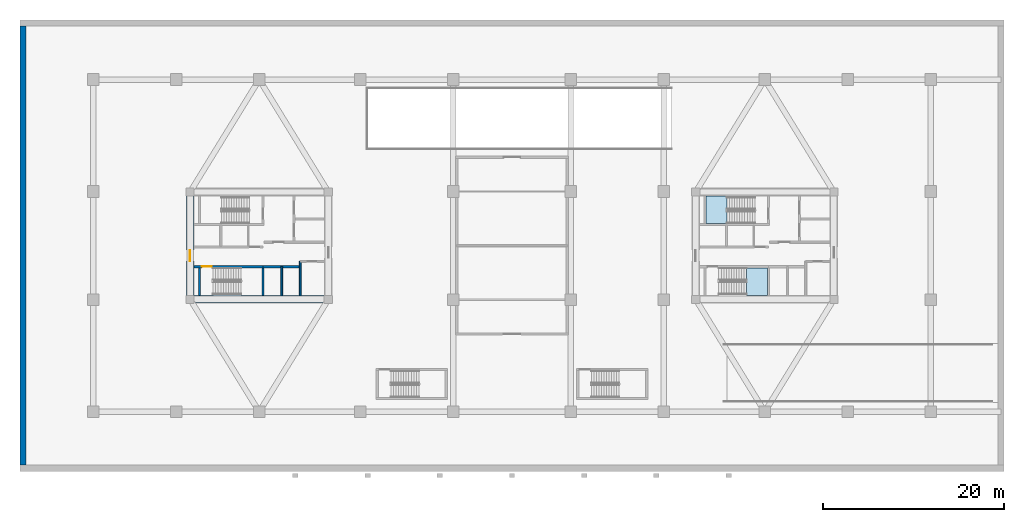
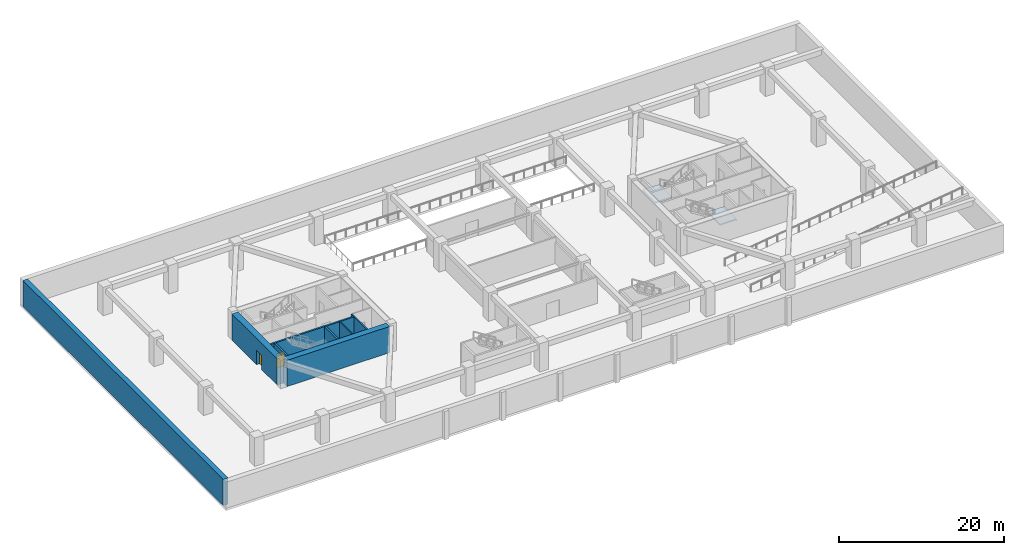
# One storey, part 2 of 14: 9 walls, 2 doors, 2 slabs, 2 openings, 2 elements without a shape of their own.
"""IFC4 building model written with IfcOpenShell, lengths in metres."""

from ifc_helpers import new_model, si_unit, direction, frame, frame_2d, origin, place, context, subcontext, project, spatial, polyline, rectangle, outline, extrude, source, transform, mapped, material, layer, layer_set, type_object, type_shapes, element, fill, aggregate, save


model = new_model("IFC4")

# Units and contexts
model_context = context("Model", 3, precision=1e-05, world=origin(), true_north=direction((0.0, 1.0)))
body_context = subcontext(model_context, "Body", "Model", "MODEL_VIEW")
ifc_project = project(units=[si_unit("LENGTHUNIT", "METRE"), si_unit("AREAUNIT", "SQUARE_METRE"), si_unit("VOLUMEUNIT", "CUBIC_METRE"), si_unit("PLANEANGLEUNIT", "RADIAN"), si_unit("MASSUNIT", "GRAM", prefix="KILO")], contexts=[model_context])

# Site, building, storey
site_placement = place(None, origin())
site = spatial("IfcSite", under=ifc_project, at=site_placement, CompositionType="ELEMENT")
building_placement = place(site_placement, origin())
building = spatial("IfcBuilding", under=site, at=building_placement, Name="Norrkilde Senior Care Towers", CompositionType="ELEMENT")
storey_placement = place(building_placement, frame((0.0, 0.0, -4.199951171875)))
storey = spatial("IfcBuildingStorey", under=building, at=storey_placement, Name="B1", CompositionType="ELEMENT", Elevation=-4.199951171875)

# Stair, slab
ifc_material_1 = material(Name="Concrete C45/55", Category="concrete")
stair_type = type_object("IfcStairType", Name="Core Protected Dogleg Stair Podium 4200", PredefinedType="HALF_TURN_STAIR", material=ifc_material_1)
stair_1_placement = place(storey_placement, origin())
stair_1 = element("IfcStair", 1, at=stair_1_placement, inside=storey, type_object=stair_type, Name="B1 Protected Core Stair E1", PredefinedType="HALF_TURN_STAIR")
ifc_layer_1 = layer(ifc_material_1, 0.199951171875)
ifc_layer_set_1 = layer_set([ifc_layer_1], Name="Concrete C45/55")
slab_type = type_object("IfcSlabType", Name="Stair Landing Slab 200", PredefinedType="LANDING", material=ifc_layer_set_1)
slab_1_placement = place(storey_placement, frame((0.0, 0.0, 1.89990234375)))
slab_1 = element("IfcSlab", 2, at=slab_1_placement, type_object=slab_type, Name="ST-E1 landing 1", PredefinedType="LANDING", context=body_context, shape_type="SweptSolid", body=[
    extrude(outline(polyline([(23.820068359375, 5.52490234375), (21.5, 5.52490234375), (21.5, 2.449951171875), (23.820068359375, 2.449951171875), (23.820068359375, 5.52490234375)])), origin(), (0.0, 0.0, 1.0), 0.199951171875),
])
aggregate(stair_1, [slab_1])

stair_2_placement = place(storey_placement, origin())
stair_2 = element("IfcStair", 3, at=stair_2_placement, inside=storey, type_object=stair_type, Name="B1 Protected Core Stair E2", PredefinedType="HALF_TURN_STAIR")
slab_2_placement = place(storey_placement, frame((0.0, 0.0, 1.89990234375)))
slab_2 = element("IfcSlab", 4, at=slab_2_placement, type_object=slab_type, Name="ST-E2 landing 1", PredefinedType="LANDING", context=body_context, shape_type="SweptSolid", body=[
    extrude(outline(polyline([(25.97998046875, -5.52490234375), (28.300048828125, -5.52490234375), (28.300048828125, -2.449951171875), (25.97998046875, -2.449951171875), (25.97998046875, -5.52490234375)])), origin(), (0.0, 0.0, 1.0), 0.199951171875),
])
aggregate(stair_2, [slab_2])

# Wall
ifc_material_2 = material(Name="Concrete C60/75", Category="concrete")
ifc_layer_2 = layer(ifc_material_2, 0.85009765625)
ifc_layer_set_2 = layer_set([ifc_layer_2], Name="Concrete C60/75")
wall_type_1 = type_object("IfcWallType", Name="Core Shear Wall Z1 850", PredefinedType="SHEAR", material=ifc_layer_set_2)
shared_shape_1 = source(origin(), body_context, "Body", "SweptSolid", [
    extrude(rectangle(XDim=14.39990234375, YDim=0.85009765625, at=frame_2d((7.199951171875, 0.0))), origin(), (0.0, 0.0, 1.0), 3.8798828125),
])
wall_1_placement = place(storey_placement, frame((-20.800048828125, -5.949951171875, 0.0), z_axis=(0.0, 0.0, 1.0), x_axis=(-1.0, 0.0, 0.0)))
element("IfcWall", 5, at=wall_1_placement, inside=storey, type_object=wall_type_1, Name="B1 Core W South Shear Wall", PredefinedType="SHEAR", context=body_context, shape_type="MappedRepresentation", body=[
    mapped(shared_shape_1, transform((0.0, 0.0, 0.0), x_axis=(1.0, 0.0, 0.0), y_axis=(0.0, 1.0, 0.0), z_axis=(0.0, 0.0, 1.0), scale=1.0)),
])

# Wall, opening, door
shared_shape_2 = source(origin(), body_context, "Body", "SweptSolid", [
    extrude(rectangle(XDim=11.0, YDim=0.85009765625, at=frame_2d((5.5, 0.0))), origin(), (0.0, 0.0, 1.0), 3.8798828125),
])
type_shapes(wall_type_1, [shared_shape_1, shared_shape_2])
wall_2_placement = place(storey_placement, frame((-35.64990234375, -5.5, 0.0), z_axis=(0.0, 0.0, 1.0), x_axis=(0.0, 1.0, 0.0)))
wall_2 = element("IfcWall", 6, at=wall_2_placement, inside=storey, type_object=wall_type_1, Name="B1 Core W West Shear Wall", PredefinedType="SHEAR", context=body_context, shape_type="MappedRepresentation", body=[
    mapped(shared_shape_2, transform((0.0, 0.0, 0.0), x_axis=(1.0, 0.0, 0.0), y_axis=(0.0, 1.0, 0.0), z_axis=(0.0, 0.0, 1.0), scale=1.0)),
])
opening_1_placement = place(wall_2_placement, frame((3.800048828125, 0.0, 0.0)))
opening_1 = element("IfcOpeningElement", 7, at=opening_1_placement, cuts=wall_2, Name="Opening D-04", PredefinedType="OPENING", context=body_context, shape_type="SweptSolid", body=[
    extrude(rectangle(XDim=1.199951171875, YDim=2.14990234375, at=frame_2d((0.60009765625, 1.074951171875))), frame((0.0, 0.43505859375, 0.0), z_axis=(0.0, -1.0, 0.0), x_axis=(1.0, 0.0, 0.0)), (0.0, 0.0, 1.0), 0.8701171875),
])
ifc_material_3 = material(Name="Galvanised Painted Steel", Category="steel")
door_type_1 = type_object("IfcDoorType", Name="Firefighting Lobby Fire Door 1200x2150", OperationType="NOTDEFINED", PredefinedType="DOOR", material=ifc_material_3)
shared_shape_3 = source(origin(), body_context, "Body", "SweptSolid", [
    extrude(rectangle(XDim=1.199951171875, YDim=2.14990234375, at=frame_2d((0.60009765625, 1.074951171875))), frame((0.0, 0.02490234375, 0.0), z_axis=(0.0, -1.0, 0.0), x_axis=(1.0, 0.0, 0.0)), (0.0, 0.0, 1.0), 0.050048828125),
])
type_shapes(door_type_1, [shared_shape_3])
door_1_placement = place(opening_1_placement, frame((1.199951171875, 0.0, 0.0), z_axis=(0.0, 0.0, 1.0), x_axis=(-1.0, 0.0, 0.0)))
door_1 = element("IfcDoor", 8, at=door_1_placement, inside=storey, type_object=door_type_1, Name="B1 Core W West Portal Door", OperationType="SINGLE_SWING_LEFT", OverallHeight=2.14990234375, OverallWidth=1.199951171875, PredefinedType="DOOR", context=body_context, shape_type="MappedRepresentation", body=[
    mapped(shared_shape_3, transform((0.0, 0.0, 0.0), x_axis=(1.0, 0.0, 0.0), y_axis=(0.0, 1.0, 0.0), z_axis=(0.0, 0.0, 1.0), scale=1.0)),
])
fill(opening_1, door_1)

# Wall
ifc_material_4 = material(Name="Concrete C50/60", Category="concrete")
ifc_layer_3 = layer(ifc_material_4, 0.679931640625)
ifc_layer_set_3 = layer_set([ifc_layer_3], Name="Concrete C50/60")
wall_type_2 = type_object("IfcWallType", Name="Basement Retaining Wall 680", PredefinedType="SOLIDWALL", material=ifc_layer_set_3)
shared_shape_4 = source(origin(), body_context, "Body", "SweptSolid", [
    extrude(rectangle(XDim=48.64013671875, YDim=0.679931640625, at=frame_2d((24.320068359375, 0.0))), origin(), (0.0, 0.0, 1.0), 3.8798828125),
])
type_shapes(wall_type_2, [shared_shape_4])
wall_3_placement = place(storey_placement, frame((-54.159912109375, 24.320068359375, 0.0), z_axis=(0.0, 0.0, 1.0), x_axis=(0.0, -1.0, 0.0)))
element("IfcWall", 9, at=wall_3_placement, inside=storey, type_object=wall_type_2, Name="B1 W Perimeter Retaining Wall", PredefinedType="SOLIDWALL", context=body_context, shape_type="MappedRepresentation", body=[
    mapped(shared_shape_4, transform((0.0, 0.0, 0.0), x_axis=(1.0, 0.0, 0.0), y_axis=(0.0, 1.0, 0.0), z_axis=(0.0, 0.0, 1.0), scale=1.0)),
])

# Wall, opening, door
ifc_layer_4 = layer(ifc_material_1, 0.239990234375)
ifc_layer_set_4 = layer_set([ifc_layer_4], Name="Concrete C45/55")
wall_type_3 = type_object("IfcWallType", Name="Shaft and Stair Enclosure Wall 240", PredefinedType="PARTITIONING", material=ifc_layer_set_4)
shared_shape_5 = source(origin(), body_context, "Body", "SweptSolid", [
    extrude(rectangle(XDim=7.76513671875, YDim=0.239990234375, at=frame_2d((3.882568359375, 0.0))), origin(), (0.0, 0.0, 1.0), 3.8798828125),
])
wall_4_placement = place(storey_placement, frame((-35.22509765625, -2.330078125, 0.0), z_axis=(0.0, 0.0, 1.0), x_axis=(1.0, 0.0, 0.0)))
wall_4 = element("IfcWall", 10, at=wall_4_placement, inside=storey, type_object=wall_type_3, Name="WL-INT-B1-W-ST2N", PredefinedType="PARTITIONING", context=body_context, shape_type="MappedRepresentation", body=[
    mapped(shared_shape_5, transform((0.0, 0.0, 0.0), x_axis=(1.0, 0.0, 0.0), y_axis=(0.0, 1.0, 0.0), z_axis=(0.0, 0.0, 1.0), scale=1.0)),
])
opening_2_placement = place(wall_4_placement, frame((0.885009765625, 0.0, 0.0)))
opening_2 = element("IfcOpeningElement", 11, at=opening_2_placement, cuts=wall_4, Name="Opening D-03", PredefinedType="OPENING", context=body_context, shape_type="SweptSolid", body=[
    extrude(rectangle(XDim=1.10009765625, YDim=2.14990234375, at=frame_2d((0.550048828125, 1.074951171875))), frame((0.0, 0.1298828125, 0.0), z_axis=(0.0, -1.0, 0.0), x_axis=(1.0, 0.0, 0.0)), (0.0, 0.0, 1.0), 0.260009765625),
])
door_type_2 = type_object("IfcDoorType", Name="Stairwell Protected Fire Door 1100x2150", OperationType="NOTDEFINED", PredefinedType="DOOR", material=ifc_material_3)
shared_shape_6 = source(origin(), body_context, "Body", "SweptSolid", [
    extrude(rectangle(XDim=1.10009765625, YDim=2.14990234375, at=frame_2d((0.550048828125, 1.074951171875))), frame((0.0, 0.02490234375, 0.0), z_axis=(0.0, -1.0, 0.0), x_axis=(1.0, 0.0, 0.0)), (0.0, 0.0, 1.0), 0.050048828125),
])
type_shapes(door_type_2, [shared_shape_6])
door_2_placement = place(opening_2_placement, frame((1.10009765625, 0.0, 0.0), z_axis=(0.0, 0.0, 1.0), x_axis=(-1.0, 0.0, 0.0)))
door_2 = element("IfcDoor", 12, at=door_2_placement, inside=storey, type_object=door_type_2, Name="B1 Stair W2 Fire Door", OperationType="SINGLE_SWING_RIGHT", OverallHeight=2.14990234375, OverallWidth=1.10009765625, PredefinedType="DOOR", context=body_context, shape_type="MappedRepresentation", body=[
    mapped(shared_shape_6, transform((0.0, 0.0, 0.0), x_axis=(1.0, 0.0, 0.0), y_axis=(0.0, 1.0, 0.0), z_axis=(0.0, 0.0, 1.0), scale=1.0)),
])
fill(opening_2, door_2)

# Walls
shared_shape_7 = source(origin(), body_context, "Body", "SweptSolid", [
    extrude(rectangle(XDim=3.074951171875, YDim=0.239990234375, at=frame_2d((1.53759765625, 0.0))), origin(), (0.0, 0.0, 1.0), 3.8798828125),
])
type_shapes(wall_type_3, [shared_shape_5, shared_shape_7])
for number, where, z_axis, x_axis, name in (
    (13, (-34.6201171875, -5.52490234375, 0.0), (0.0, 0.0, 1.0), (0.0, 1.0, 0.0), "WL-INT-B1-W-ST2W"),
    (14, (-27.580078125, -5.52490234375, 0.0), (0.0, 0.0, 1.0), (0.0, 1.0, 0.0), "WL-INT-B1-W-ST2E"),
):
    element("IfcWall", number, at=place(storey_placement, frame(where, z_axis=z_axis, x_axis=x_axis)), inside=storey, type_object=wall_type_3, Name=name, PredefinedType="PARTITIONING", context=body_context, shape_type="MappedRepresentation", body=[
        mapped(shared_shape_7, transform((0.0, 0.0, 0.0), x_axis=(1.0, 0.0, 0.0), y_axis=(0.0, 1.0, 0.0), z_axis=(0.0, 0.0, 1.0), scale=1.0)),
    ])
ifc_layer_5 = layer(ifc_material_1, 0.199951171875)
ifc_layer_set_5 = layer_set([ifc_layer_5], Name="Concrete C45/55")
wall_type_4 = type_object("IfcWallType", Name="Shaft Division and Plant Partition 200", PredefinedType="PARTITIONING", material=ifc_layer_set_5)
shared_shape_8 = source(origin(), body_context, "Body", "SweptSolid", [
    extrude(rectangle(XDim=3.800048828125, YDim=0.199951171875, at=frame_2d((1.89990234375, 0.0))), origin(), (0.0, 0.0, 1.0), 3.864990234375),
])
type_shapes(wall_type_4, [shared_shape_8])
wall_5_placement = place(storey_placement, frame((-23.449951171875, -5.550048828125, 0.0), z_axis=(0.0, 0.0, 1.0), x_axis=(0.0, 1.0, 0.0)))
element("IfcWall", 15, at=wall_5_placement, inside=storey, type_object=wall_type_4, Name="WL-INT-B1-W-PKBE", PredefinedType="PARTITIONING", context=body_context, shape_type="MappedRepresentation", body=[
    mapped(shared_shape_8, transform((0.0, 0.0, 0.0), x_axis=(1.0, 0.0, 0.0), y_axis=(0.0, 1.0, 0.0), z_axis=(0.0, 0.0, 1.0), scale=1.0)),
])
ifc_layer_6 = layer(ifc_material_1, 0.239990234375)
ifc_layer_set_6 = layer_set([ifc_layer_6], Name="Concrete C45/55")
wall_type_5 = type_object("IfcWallType", Name="Lift and Plant Rated Enclosure Partition 240", PredefinedType="PARTITIONING", material=ifc_layer_set_6)
shared_shape_9 = source(origin(), body_context, "Body", "SweptSolid", [
    extrude(rectangle(XDim=4.130126953125, YDim=0.239990234375, at=frame_2d((2.06494140625, 0.0))), origin(), (0.0, 0.0, 1.0), 3.864990234375),
])
type_shapes(wall_type_5, [shared_shape_9])
wall_6_placement = place(storey_placement, frame((-27.580078125, -2.330078125, 0.0), z_axis=(0.0, 0.0, 1.0), x_axis=(1.0, 0.0, 0.0)))
element("IfcWall", 16, at=wall_6_placement, inside=storey, type_object=wall_type_5, Name="WL-INT-B1-W-PKBN", PredefinedType="PARTITIONING", context=body_context, shape_type="MappedRepresentation", body=[
    mapped(shared_shape_9, transform((0.0, 0.0, 0.0), x_axis=(1.0, 0.0, 0.0), y_axis=(0.0, 1.0, 0.0), z_axis=(0.0, 0.0, 1.0), scale=1.0)),
])
ifc_layer_7 = layer(ifc_material_1, 0.179931640625)
ifc_layer_set_7 = layer_set([ifc_layer_7], Name="Concrete C45/55")
wall_type_6 = type_object("IfcWallType", Name="Hoistway Division Rated Partition 180", PredefinedType="PARTITIONING", material=ifc_layer_set_7)
shared_shape_10 = source(origin(), body_context, "Body", "SweptSolid", [
    extrude(rectangle(XDim=3.219970703125, YDim=0.179931640625, at=frame_2d((1.60986328125, 0.0))), origin(), (0.0, 0.0, 1.0), 3.864990234375),
])
type_shapes(wall_type_6, [shared_shape_10])
wall_7_placement = place(storey_placement, frame((-25.5, -5.550048828125, 0.0), z_axis=(0.0, 0.0, 1.0), x_axis=(0.0, 1.0, 0.0)))
element("IfcWall", 17, at=wall_7_placement, inside=storey, type_object=wall_type_6, Name="WL-INT-B1-W-PL34", PredefinedType="PARTITIONING", context=body_context, shape_type="MappedRepresentation", body=[
    mapped(shared_shape_10, transform((0.0, 0.0, 0.0), x_axis=(1.0, 0.0, 0.0), y_axis=(0.0, 1.0, 0.0), z_axis=(0.0, 0.0, 1.0), scale=1.0)),
])

save(model, "model.ifc")
